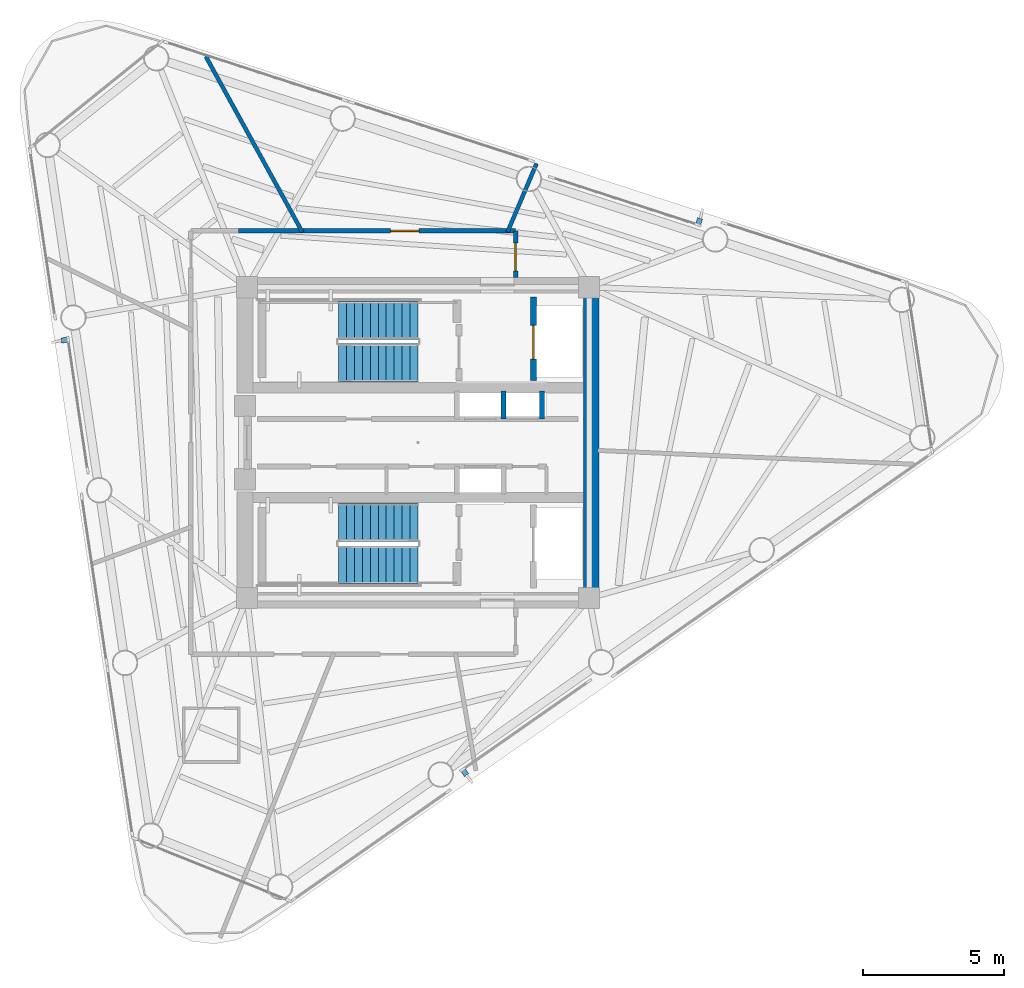
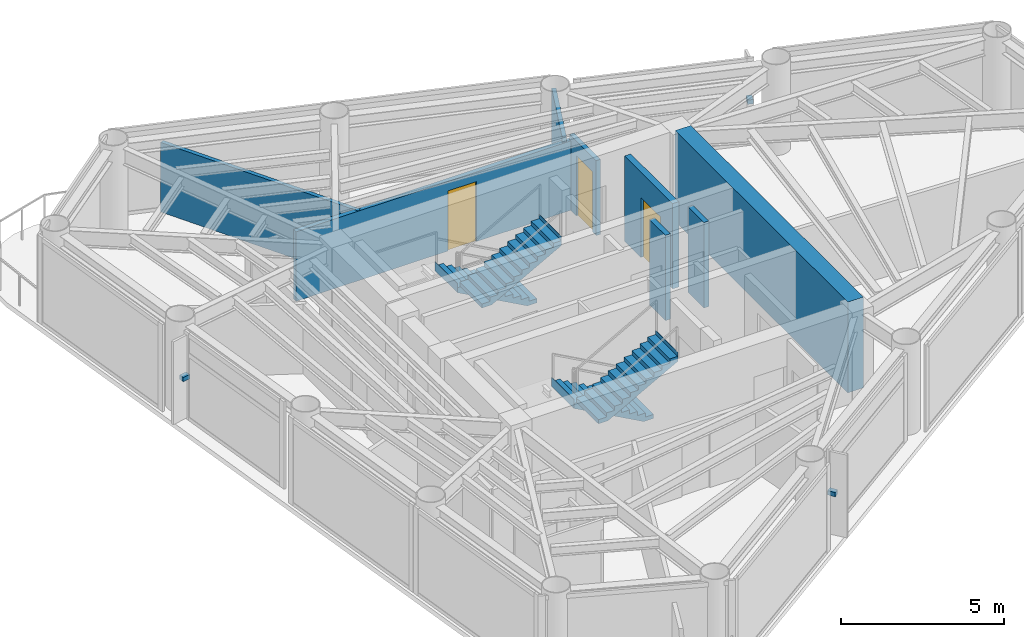
# One storey, part 6 of 9: 8 walls, 4 stair flights, 3 discrete accessories, 3 doors, 3 openings, 2 elements without a shape of their own.
"""IFC4 building model written with IfcOpenShell, lengths in metres."""

from ifc_helpers import new_model, si_unit, direction, frame, frame_2d, origin, origin_2d, place, context, subcontext, project, spatial, polyline, rectangle, outline, extrude, source, transform, mapped, material, layer, layer_set, type_object, element, fill, aggregate, save


model = new_model("IFC4")

# Units and contexts
model_context = context("Model", 3, precision=1e-05, world=origin(), true_north=direction((0.0, 1.0)))
body_context = subcontext(model_context, "Body", "Model", "MODEL_VIEW")
ifc_project = project(units=[si_unit("LENGTHUNIT", "METRE"), si_unit("AREAUNIT", "SQUARE_METRE"), si_unit("VOLUMEUNIT", "CUBIC_METRE"), si_unit("PLANEANGLEUNIT", "RADIAN"), si_unit("MASSUNIT", "GRAM", prefix="KILO")], contexts=[model_context])

# Site, building, storey
site_placement = place(None, origin())
site = spatial("IfcSite", under=ifc_project, at=site_placement, CompositionType="ELEMENT")
building_placement = place(site_placement, origin())
building = spatial("IfcBuilding", under=site, at=building_placement, Name="Yunling Apex Tower", CompositionType="ELEMENT")
storey_placement = place(building_placement, frame((0.0, 0.0, 271.14990234375)))
storey = spatial("IfcBuildingStorey", under=building, at=storey_placement, Name="L66", CompositionType="ELEMENT", Elevation=271.14990234375)

# Wall
ifc_material_1 = material(Name="Concrete C40", Category="concrete")
ifc_layer_1 = layer(ifc_material_1, 0.550048828125)
ifc_layer_set_1 = layer_set([ifc_layer_1], Name="Concrete C40")
wall_type_1 = type_object("IfcWallType", Name="WL-COR-3", PredefinedType="SHEAR", material=ifc_layer_set_1)
wall_1_placement = place(storey_placement, frame((6.125, -5.300048828125, 0.0), z_axis=(0.0, 0.0, 1.0), x_axis=(0.0, 1.0, 0.0)))
element("IfcWall", 1, at=wall_1_placement, inside=storey, type_object=wall_type_1, Name="L66 East Core Shear Wall", PredefinedType="SHEAR", context=body_context, shape_type="SweptSolid", body=[
    extrude(rectangle(XDim=10.60009765625, YDim=0.550048828125, at=frame_2d((5.300048828125, 0.0))), origin(), (0.0, 0.0, 1.0), 3.400146484375),
])

# Wall, opening, door
ifc_material_2 = material(Name="Gypsum board acoustic partition")
ifc_layer_2 = layer(ifc_material_2, 0.159912109375)
ifc_layer_set_2 = layer_set([ifc_layer_2], Name="Gypsum board acoustic partition")
wall_type_2 = type_object("IfcWallType", Name="WL-PRT-1", PredefinedType="PARTITIONING", material=ifc_layer_set_2)
wall_2_placement = place(storey_placement, frame((-6.360107421875, 7.489990234375, 0.0), z_axis=(0.0, 0.0, 1.0), x_axis=(1.0, 0.0, 0.0)))
wall_2 = element("IfcWall", 2, at=wall_2_placement, inside=storey, type_object=wall_type_2, Name="WL-CORR-L66-03", PredefinedType="PARTITIONING", context=body_context, shape_type="SweptSolid", body=[
    extrude(rectangle(XDim=9.81005859375, YDim=0.159912109375, at=frame_2d((4.905029296875, 0.0))), origin(), (0.0, 0.0, 1.0), 2.60498046875),
])
opening_1_placement = place(wall_2_placement, frame((5.38525390625, 0.0, 0.0)))
opening_1 = element("IfcOpeningElement", 3, at=opening_1_placement, cuts=wall_2, Name="Opening DR-OFF-1", PredefinedType="OPENING", context=body_context, shape_type="SweptSolid", body=[
    extrude(rectangle(XDim=1.0, YDim=2.25, at=frame_2d((0.5, 1.125))), frame((0.0, 0.08984375, 0.0), z_axis=(0.0, -1.0, 0.0), x_axis=(1.0, 0.0, 0.0)), (0.0, 0.0, 1.0), 0.179931640625),
])
ifc_material_3 = material(Name="Bronze anodised aluminium", Category="aluminium")
door_type_1 = type_object("IfcDoorType", Name="DR-OFF-1", OperationType="NOTDEFINED", PredefinedType="DOOR", material=ifc_material_3)
door_1_placement = place(opening_1_placement, origin())
door_1 = element("IfcDoor", 4, at=door_1_placement, inside=storey, type_object=door_type_1, Name="L66 Residents Cinema Club Door", OperationType="SINGLE_SWING_LEFT", OverallHeight=2.25, OverallWidth=1.0, PredefinedType="DOOR", context=body_context, shape_type="SweptSolid", body=[
    extrude(rectangle(XDim=1.0, YDim=2.25, at=frame_2d((0.5, 1.125))), frame((0.0, 0.02490234375, 0.0), z_axis=(0.0, -1.0, 0.0), x_axis=(1.0, 0.0, 0.0)), (0.0, 0.0, 1.0), 0.050048828125),
])
fill(opening_1, door_1)

wall_3_placement = place(storey_placement, frame((3.449951171875, 7.489990234375, 0.0), z_axis=(0.0, 0.0, 1.0), x_axis=(0.0, -1.0, 0.0)))
wall_3 = element("IfcWall", 5, at=wall_3_placement, inside=storey, type_object=wall_type_2, Name="WL-CORR-L66-04", PredefinedType="PARTITIONING", context=body_context, shape_type="SweptSolid", body=[
    extrude(rectangle(XDim=1.639892578125, YDim=0.159912109375, at=frame_2d((0.81982421875, 0.0))), origin(), (0.0, 0.0, 1.0), 2.80517578125),
])
opening_2_placement = place(wall_3_placement, frame((0.419921875, 0.0, 0.0)))
opening_2 = element("IfcOpeningElement", 6, at=opening_2_placement, cuts=wall_3, Name="Opening DR-OFF-1", PredefinedType="OPENING", context=body_context, shape_type="SweptSolid", body=[
    extrude(rectangle(XDim=1.0, YDim=2.25, at=frame_2d((0.5, 1.125))), frame((0.0, 0.08984375, 0.0), z_axis=(0.0, -1.0, 0.0), x_axis=(1.0, 0.0, 0.0)), (0.0, 0.0, 1.0), 0.179931640625),
])
door_2_placement = place(opening_2_placement, origin())
door_2 = element("IfcDoor", 7, at=door_2_placement, inside=storey, type_object=door_type_1, Name="L66 Residents Music Salon Door", OperationType="SINGLE_SWING_RIGHT", OverallHeight=2.25, OverallWidth=1.0, PredefinedType="DOOR", context=body_context, shape_type="SweptSolid", body=[
    extrude(rectangle(XDim=1.0, YDim=2.25, at=frame_2d((0.5, 1.125))), frame((0.0, 0.02490234375, 0.0), z_axis=(0.0, -1.0, 0.0), x_axis=(1.0, 0.0, 0.0)), (0.0, 0.0, 1.0), 0.050048828125),
])
fill(opening_2, door_2)

# Walls
ifc_layer_3 = layer(ifc_material_2, 0.139892578125)
ifc_layer_set_3 = layer_set([ifc_layer_3], Name="Gypsum board acoustic partition")
wall_type_3 = type_object("IfcWallType", Name="WL-PRT-2", PredefinedType="PARTITIONING", material=ifc_layer_set_3)
wall_4_placement = place(storey_placement, frame((3.162353515625, 7.449951171875, 0.0), z_axis=(0.0, 0.0, 1.0), x_axis=(0.390769134848, 0.920488719784, 0.0)))
element("IfcWall", 8, at=wall_4_placement, inside=storey, type_object=wall_type_3, Name="WL-RAD-L66-02", PredefinedType="PARTITIONING", context=body_context, shape_type="SweptSolid", body=[
    extrude(rectangle(XDim=2.63037109375, YDim=0.139892578125, at=frame_2d((1.315185546875, 0.0))), origin(), (0.0, 0.0, 1.0), 2.80517578125),
])
wall_5_placement = place(storey_placement, frame((-4.095703125, 7.449951171875, 0.0), z_axis=(0.0, 0.0, 1.0), x_axis=(-0.481753550604, 0.876306747937, 0.0)))
element("IfcWall", 9, at=wall_5_placement, inside=storey, type_object=wall_type_3, Name="WL-RAD-L66-03", PredefinedType="PARTITIONING", context=body_context, shape_type="SweptSolid", body=[
    extrude(rectangle(XDim=7.091796875, YDim=0.139892578125, at=frame_2d((3.5458984375, 0.0))), origin(), (0.0, 0.0, 1.0), 2.60498046875),
])

# Wall, opening, door
ifc_material_4 = material(Name="Autoclaved aerated concrete masonry", Category="masonry")
ifc_layer_4 = layer(ifc_material_4, 0.219970703125)
ifc_layer_set_4 = layer_set([ifc_layer_4], Name="Autoclaved aerated concrete masonry")
wall_type_4 = type_object("IfcWallType", Name="WL-SHF-1", PredefinedType="PLUMBINGWALL", material=ifc_layer_set_4)
wall_6_placement = place(storey_placement, frame((4.080078125, 2.199951171875, 0.0), z_axis=(0.0, 0.0, 1.0), x_axis=(0.0, 1.0, 0.0)))
wall_6 = element("IfcWall", 10, at=wall_6_placement, inside=storey, type_object=wall_type_4, Name="WL-FFL1-W-L66", PredefinedType="PLUMBINGWALL", context=body_context, shape_type="SweptSolid", body=[
    extrude(rectangle(XDim=2.949951171875, YDim=0.219970703125, at=frame_2d((1.47509765625, 0.0))), origin(), (0.0, 0.0, 1.0), 3.2001953125),
])
opening_3_placement = place(wall_6_placement, frame((0.75, 0.0, 0.0)))
opening_3 = element("IfcOpeningElement", 11, at=opening_3_placement, cuts=wall_6, Name="Opening LD-FFL-1", PredefinedType="OPENING", context=body_context, shape_type="SweptSolid", body=[
    extrude(rectangle(XDim=1.199951171875, YDim=2.25, at=frame_2d((0.60009765625, 1.125))), frame((0.0, 0.1201171875, 0.0), z_axis=(0.0, -1.0, 0.0), x_axis=(1.0, 0.0, 0.0)), (0.0, 0.0, 1.0), 0.239990234375),
])
ifc_material_5 = material(Name="Steel Q355B", Category="steel")
door_type_2 = type_object("IfcDoorType", Name="LD-FFL-1", OperationType="DOUBLE_DOOR_SLIDING", PredefinedType="DOOR", material=ifc_material_5)
door_3_placement = place(opening_3_placement, origin())
door_3 = element("IfcDoor", 12, at=door_3_placement, inside=storey, type_object=door_type_2, Name="L66 Lift FFL-1 Landing Door", OperationType="DOUBLE_DOOR_SLIDING", OverallHeight=2.25, OverallWidth=1.199951171875, PredefinedType="DOOR", context=body_context, shape_type="SweptSolid", body=[
    extrude(rectangle(XDim=1.199951171875, YDim=2.25, at=frame_2d((0.60009765625, 1.125))), frame((0.0, 0.02490234375, 0.0), z_axis=(0.0, -1.0, 0.0), x_axis=(1.0, 0.0, 0.0)), (0.0, 0.0, 1.0), 0.050048828125),
])
fill(opening_3, door_3)

# Walls
ifc_layer_5 = layer(ifc_material_4, 0.179931640625)
ifc_layer_set_5 = layer_set([ifc_layer_5], Name="Autoclaved aerated concrete masonry")
wall_type_5 = type_object("IfcWallType", Name="WL-SHF-2", PredefinedType="PLUMBINGWALL", material=ifc_layer_set_5)
for number, where, z_axis, x_axis, name in (
    (13, (3.02001953125, 0.840087890625, 0.0), (0.0, 0.0, 1.0), (0.0, 1.0, 0.0), "WL-DIV-H13-L66"),
    (14, (4.3798828125, 0.840087890625, 0.0), (0.0, 0.0, 1.0), (0.0, 1.0, 0.0), "WL-END-H3E-L66"),
):
    element("IfcWall", number, at=place(storey_placement, frame(where, z_axis=z_axis, x_axis=x_axis)), inside=storey, type_object=wall_type_5, Name=name, PredefinedType="PLUMBINGWALL", context=body_context, shape_type="SweptSolid", body=[
        extrude(rectangle(XDim=0.97998046875, YDim=0.179931640625, at=frame_2d((0.489990234375, 0.0))), origin(), (0.0, 0.0, 1.0), 3.2001953125),
    ])

# Stair, stair flights
stair_type = type_object("IfcStairType", Name="ST-TWR-3", PredefinedType="HALF_TURN_STAIR", material=ifc_material_1)
stair_1_placement = place(storey_placement, origin())
stair_1 = element("IfcStair", 15, at=stair_1_placement, inside=storey, type_object=stair_type, Name="L66 North Core Smokeproof Exit Stair ST-1", PredefinedType="HALF_TURN_STAIR")
stair_flight_type = type_object("IfcStairFlightType", Name="SFL-TWR-3", PredefinedType="STRAIGHT", material=ifc_material_1)
stair_flight_1_placement = place(storey_placement, frame((-0.010009765625, 4.330078125, 0.0), z_axis=(0.0, 0.0, 1.0), x_axis=(-1.0, 0.0, 0.0)))
stair_flight_1 = element("IfcStairFlight", 16, at=stair_flight_1_placement, type_object=stair_flight_type, Name="ST-1 flight 1", NumberOfRisers=11, NumberOfTreads=10, PredefinedType="STRAIGHT", RiserHeight=0.154545455, TreadLength=0.28, context=body_context, shape_type="SweptSolid", body=[
    extrude(outline(polyline([(-0.011962890625, 0.0), (-0.011962890625, 0.154541015625), (0.0, 0.154541015625), (0.280029296875, 0.154541015625), (0.280029296875, 0.30908203125), (0.56005859375, 0.30908203125), (0.56005859375, 0.463623046875), (0.840087890625, 0.463623046875), (0.840087890625, 0.6181640625), (1.1201171875, 0.6181640625), (1.1201171875, 0.772705078125), (1.39990234375, 0.772705078125), (1.39990234375, 0.92724609375), (1.679931640625, 0.92724609375), (1.679931640625, 1.081787109375), (1.9599609375, 1.081787109375), (1.9599609375, 1.236328125), (2.239990234375, 1.236328125), (2.239990234375, 1.390869140625), (2.52001953125, 1.390869140625), (2.52001953125, 1.54541015625), (2.800048828125, 1.54541015625), (2.800048828125, 1.699951171875), (2.81201171875, 1.699951171875), (2.81201171875, 1.36279296875), (0.330810546875, 0.0), (-0.011962890625, 0.0)])), frame((0.0, 0.68017578125, 0.0), z_axis=(0.0, -1.0, 0.0), x_axis=(1.0, 0.0, 0.0)), (0.0, 0.0, 1.0), 1.360107421875),
])
stair_flight_2_placement = place(storey_placement, frame((-2.81005859375, 2.820068359375, 1.7001953125), z_axis=(0.0, 0.0, 1.0), x_axis=(1.0, 0.0, 0.0)))
stair_flight_2 = element("IfcStairFlight", 17, at=stair_flight_2_placement, type_object=stair_flight_type, Name="ST-1 flight 2", NumberOfRisers=11, NumberOfTreads=10, PredefinedType="STRAIGHT", RiserHeight=0.154545455, TreadLength=0.28, context=body_context, shape_type="SweptSolid", body=[
    extrude(outline(polyline([(-0.011962890625, 0.0), (-0.011962890625, 0.154541015625), (0.0, 0.154541015625), (0.280029296875, 0.154541015625), (0.280029296875, 0.30908203125), (0.56005859375, 0.30908203125), (0.56005859375, 0.463623046875), (0.840087890625, 0.463623046875), (0.840087890625, 0.6181640625), (1.1201171875, 0.6181640625), (1.1201171875, 0.772705078125), (1.39990234375, 0.772705078125), (1.39990234375, 0.92724609375), (1.679931640625, 0.92724609375), (1.679931640625, 1.081787109375), (1.9599609375, 1.081787109375), (1.9599609375, 1.236328125), (2.239990234375, 1.236328125), (2.239990234375, 1.390869140625), (2.52001953125, 1.390869140625), (2.52001953125, 1.54541015625), (2.800048828125, 1.54541015625), (2.800048828125, 1.699951171875), (2.81201171875, 1.699951171875), (2.81201171875, 1.36279296875), (0.330810546875, 0.0), (-0.011962890625, 0.0)])), frame((0.0, 0.68017578125, 0.0), z_axis=(0.0, -1.0, 0.0), x_axis=(1.0, 0.0, 0.0)), (0.0, 0.0, 1.0), 1.360107421875),
])
aggregate(stair_1, [stair_flight_1, stair_flight_2])

stair_2_placement = place(storey_placement, origin())
stair_2 = element("IfcStair", 18, at=stair_2_placement, inside=storey, type_object=stair_type, Name="L66 South Core Smokeproof Exit Stair ST-2", PredefinedType="HALF_TURN_STAIR")
stair_flight_3_placement = place(storey_placement, frame((-0.010009765625, -2.820068359375, 0.0), z_axis=(0.0, 0.0, 1.0), x_axis=(-1.0, 0.0, 0.0)))
stair_flight_3 = element("IfcStairFlight", 19, at=stair_flight_3_placement, type_object=stair_flight_type, Name="ST-2 flight 1", NumberOfRisers=11, NumberOfTreads=10, PredefinedType="STRAIGHT", RiserHeight=0.154545455, TreadLength=0.28, context=body_context, shape_type="SweptSolid", body=[
    extrude(outline(polyline([(-0.011962890625, 0.0), (-0.011962890625, 0.154541015625), (0.0, 0.154541015625), (0.280029296875, 0.154541015625), (0.280029296875, 0.30908203125), (0.56005859375, 0.30908203125), (0.56005859375, 0.463623046875), (0.840087890625, 0.463623046875), (0.840087890625, 0.6181640625), (1.1201171875, 0.6181640625), (1.1201171875, 0.772705078125), (1.39990234375, 0.772705078125), (1.39990234375, 0.92724609375), (1.679931640625, 0.92724609375), (1.679931640625, 1.081787109375), (1.9599609375, 1.081787109375), (1.9599609375, 1.236328125), (2.239990234375, 1.236328125), (2.239990234375, 1.390869140625), (2.52001953125, 1.390869140625), (2.52001953125, 1.54541015625), (2.800048828125, 1.54541015625), (2.800048828125, 1.699951171875), (2.81201171875, 1.699951171875), (2.81201171875, 1.36279296875), (0.330810546875, 0.0), (-0.011962890625, 0.0)])), frame((0.0, 0.68017578125, 0.0), z_axis=(0.0, -1.0, 0.0), x_axis=(1.0, 0.0, 0.0)), (0.0, 0.0, 1.0), 1.360107421875),
])
stair_flight_4_placement = place(storey_placement, frame((-2.81005859375, -4.330078125, 1.7001953125), z_axis=(0.0, 0.0, 1.0), x_axis=(1.0, 0.0, 0.0)))
stair_flight_4 = element("IfcStairFlight", 20, at=stair_flight_4_placement, type_object=stair_flight_type, Name="ST-2 flight 2", NumberOfRisers=11, NumberOfTreads=10, PredefinedType="STRAIGHT", RiserHeight=0.154545455, TreadLength=0.28, context=body_context, shape_type="SweptSolid", body=[
    extrude(outline(polyline([(-0.011962890625, 0.0), (-0.011962890625, 0.154541015625), (0.0, 0.154541015625), (0.280029296875, 0.154541015625), (0.280029296875, 0.30908203125), (0.56005859375, 0.30908203125), (0.56005859375, 0.463623046875), (0.840087890625, 0.463623046875), (0.840087890625, 0.6181640625), (1.1201171875, 0.6181640625), (1.1201171875, 0.772705078125), (1.39990234375, 0.772705078125), (1.39990234375, 0.92724609375), (1.679931640625, 0.92724609375), (1.679931640625, 1.081787109375), (1.9599609375, 1.081787109375), (1.9599609375, 1.236328125), (2.239990234375, 1.236328125), (2.239990234375, 1.390869140625), (2.52001953125, 1.390869140625), (2.52001953125, 1.54541015625), (2.800048828125, 1.54541015625), (2.800048828125, 1.699951171875), (2.81201171875, 1.699951171875), (2.81201171875, 1.36279296875), (0.330810546875, 0.0), (-0.011962890625, 0.0)])), frame((0.0, 0.68017578125, 0.0), z_axis=(0.0, -1.0, 0.0), x_axis=(1.0, 0.0, 0.0)), (0.0, 0.0, 1.0), 1.360107421875),
])
aggregate(stair_2, [stair_flight_3, stair_flight_4])

# Discrete accessories
discrete_accessory_type = type_object("IfcDiscreteAccessoryType", Name="BK-FIN-1", PredefinedType="BRACKET", material=ifc_material_5)
shared_shape = source(origin(), body_context, "Body", "SweptSolid", [
    extrude(rectangle(XDim=0.179931640625, YDim=0.260009765625, at=origin_2d()), origin(), (0.0, 0.0, 1.0), 0.159912109375),
])
for number, where, z_axis, x_axis, name in (
    (21, (1.638427734375, -11.656982421875, 1.5302734375), (0.0, 0.0, 1.0), (0.819552276527, 0.573004420611, 0.0), "CW-L66-F1-B2-BRK-01-1"),
    (22, (9.938720703125, 7.80810546875, 1.5302734375), (0.0, 0.0, 1.0), (-0.951272019071, 0.30835295642, 0.0), "CW-L66-F2-B2-BRK-01-1"),
    (23, (-12.492919921875, 3.630615234375, 1.5302734375), (0.0, 0.0, 1.0), (0.14780941113, -0.989015863362, 0.0), "CW-L66-F3-B2-BRK-01-1"),
):
    element("IfcDiscreteAccessory", number, at=place(storey_placement, frame(where, z_axis=z_axis, x_axis=x_axis)), inside=storey, type_object=discrete_accessory_type, Name=name, PredefinedType="BRACKET", context=body_context, shape_type="MappedRepresentation", body=[
        mapped(shared_shape, transform((0.0, 0.0, 0.0), scale=1.0)),
    ])

save(model, "model.ifc")
